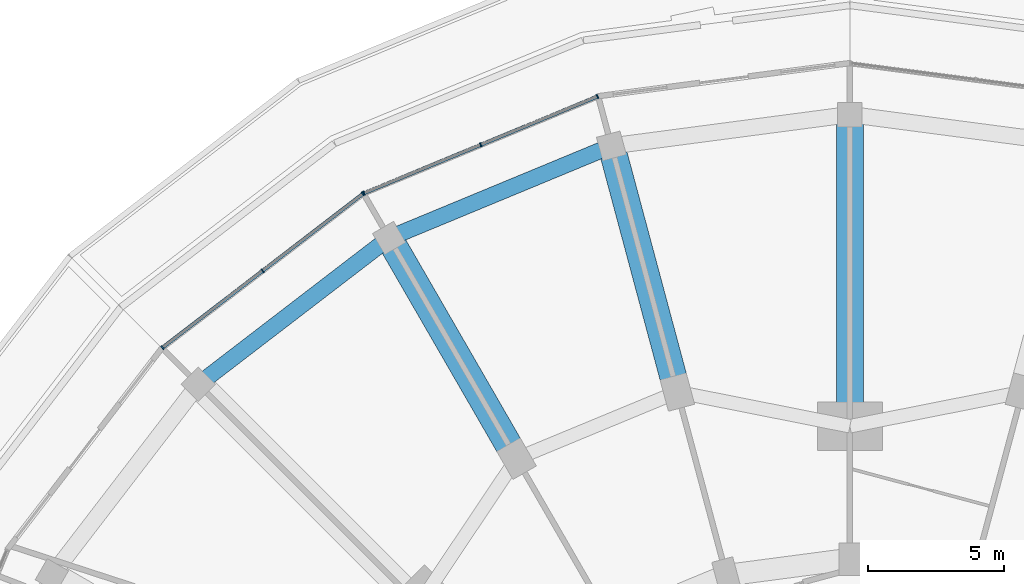
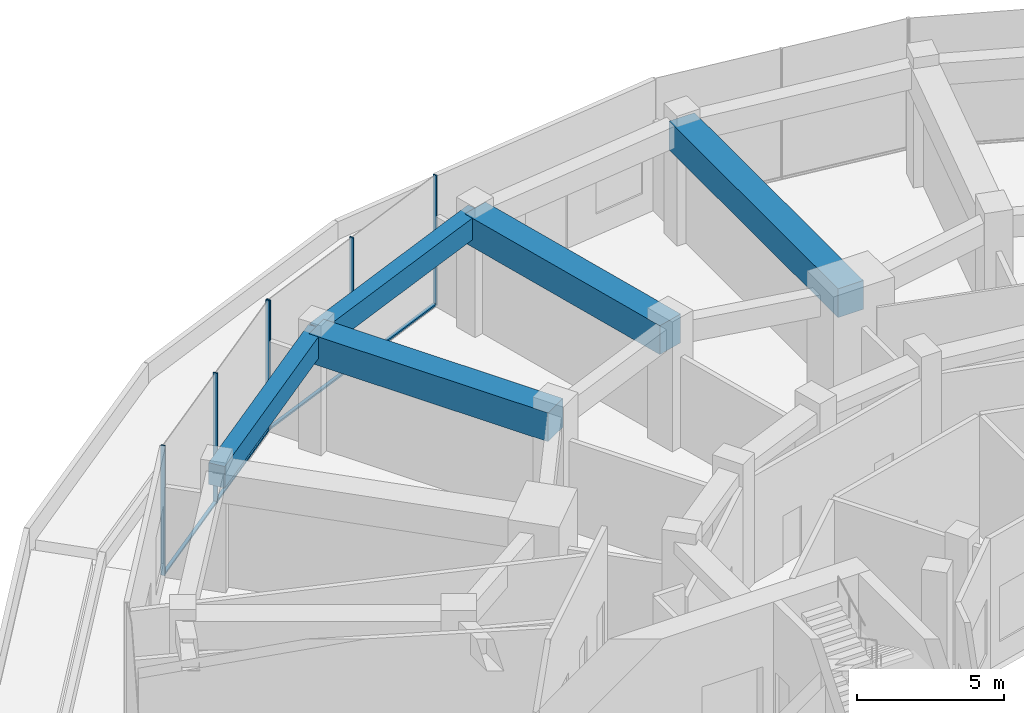
# One storey, part 12 of 26: 10 members, 5 beams, 2 elements without a shape of their own.
"""IFC4 building model written with IfcOpenShell, lengths in metres."""

import ifcopenshell
import ifcopenshell.guid

model = None  # the IFC model being written
_history = None  # IfcOwnerHistory: only IFC2X3 demands one
_inside = {}  # id of a spatial element -> (the spatial element, [elements in it])
_under = {}  # id of a project, library or spatial element -> (it, [spatial elements below it])
_declared = {}  # id of a project -> (the project, [libraries it declares])
_typed = {}  # id of a type object -> (the type object, [elements of that type])
_made_of = {}  # id of a material, layer set ... -> (it, [elements and type objects made of it])


def new_model(schema):
    """Start an empty IFC model of exactly this schema.

    Asked for "IFC4X3", IfcOpenShell would pick the latest addendum, in which some entities
    have other attributes; the version numbers below select the first issue.
    IFC2X3 requires an IfcOwnerHistory on every rooted entity: one is made here for all.
    """
    global model, _history
    if schema == "IFC4X3":
        model = ifcopenshell.file(schema_version=(4, 3, 0, 0))
    else:
        model = ifcopenshell.file(schema=schema)
    _inside.clear()
    _under.clear()
    _declared.clear()
    _typed.clear()
    _made_of.clear()
    _history = None
    if model.schema == "IFC2X3":
        org = make("IfcOrganization", Name="unknown")
        user = make(
            "IfcPersonAndOrganization",
            ThePerson=make("IfcPerson", FamilyName="unknown"),
            TheOrganization=org,
        )
        app = make(
            "IfcApplication",
            ApplicationDeveloper=org,
            Version="unknown",
            ApplicationFullName="unknown",
            ApplicationIdentifier="unknown",
        )
        _history = make(
            "IfcOwnerHistory",
            OwningUser=user,
            OwningApplication=app,
            ChangeAction="ADDED",
            CreationDate=0,
        )
    return model


def make(cls, **values):
    """One entity of the class cls with the attributes given. An attribute that is None is left unset."""
    return model.create_entity(
        cls, **{name: value for name, value in values.items() if value is not None}
    )


def rooted(cls, **values):
    """An entity with a GlobalId (a new one), such as an element, a storey or a relation."""
    return make(cls, GlobalId=ifcopenshell.guid.new(), OwnerHistory=_history, **values)


def si_unit(unit_type, name, prefix=None):
    """IfcSIUnit, for example si_unit("LENGTHUNIT", "METRE", prefix="MILLI")."""
    return make("IfcSIUnit", UnitType=unit_type, Prefix=prefix, Name=name)


def assignment(units):
    """IfcUnitAssignment: the units of a project."""
    return None if units is None else make("IfcUnitAssignment", Units=units)


def point(xyz):
    """IfcCartesianPoint."""
    return None if xyz is None else make("IfcCartesianPoint", Coordinates=xyz)


def direction(xyz):
    """IfcDirection."""
    return None if xyz is None else make("IfcDirection", DirectionRatios=xyz)


def frame(location, z_axis=None, x_axis=None):
    """IfcAxis2Placement3D, a coordinate frame: its origin and axes. An axis left out is left unset."""
    return make(
        "IfcAxis2Placement3D",
        Location=point(location),
        Axis=direction(z_axis),
        RefDirection=direction(x_axis),
    )


def frame_2d(location, x_axis=None):
    """IfcAxis2Placement2D, a coordinate frame in the plane: its origin and x axis."""
    return make(
        "IfcAxis2Placement2D", Location=point(location), RefDirection=direction(x_axis)
    )


def origin():
    """The frame at (0, 0, 0) with its axes left unset."""
    return frame((0.0, 0.0, 0.0))


def origin_2d():
    """The frame at (0, 0) in the plane with its x axis left unset."""
    return frame_2d((0.0, 0.0))


def place(relative_to, where):
    """IfcLocalPlacement: puts the frame where relative to a parent placement (None: the world)."""
    return make(
        "IfcLocalPlacement", PlacementRelTo=relative_to, RelativePlacement=where
    )


def context(
    kind, dimensions, precision=None, world=None, true_north=None, identifier=None
):
    """IfcGeometricRepresentationContext, for example the 3D "Model" context."""
    return make(
        "IfcGeometricRepresentationContext",
        ContextIdentifier=identifier,
        ContextType=kind,
        CoordinateSpaceDimension=dimensions,
        Precision=precision,
        WorldCoordinateSystem=world,
        TrueNorth=true_north,
    )


def subcontext(parent, identifier, kind, view, scale=None):
    """IfcGeometricRepresentationSubContext, for example "Body" below "Model"."""
    return make(
        "IfcGeometricRepresentationSubContext",
        ContextIdentifier=identifier,
        ContextType=kind,
        ParentContext=parent,
        TargetScale=scale,
        TargetView=view,
    )


def project(units=None, contexts=None):
    """IfcProject with its units and contexts."""
    return rooted(
        "IfcProject",
        Name="project",
        RepresentationContexts=contexts,
        UnitsInContext=assignment(units),
    )


def spatial(cls, under=None, at=None, **own):
    """A site, building, storey or space (cls), placed at a placement, below another one or the project."""
    s = rooted(cls, ObjectPlacement=at, **own)
    if under is not None:
        _under.setdefault(under.id(), (under, []))[1].append(s)
    return s


def profile(cls, at=None, kind="AREA", **sizes):
    """A parametric profile (cls). Its sizes go by their IFC names, for example OverallWidth=200.0."""
    return make(cls, ProfileType=kind, Position=at, **sizes)


def rectangle(**sizes):
    """IfcRectangleProfileDef."""
    return profile("IfcRectangleProfileDef", **sizes)


def extrude(swept, where, along, depth):
    """IfcExtrudedAreaSolid: the profile swept, set in the frame where, extruded along a direction by depth."""
    return make(
        "IfcExtrudedAreaSolid",
        SweptArea=swept,
        Position=where,
        ExtrudedDirection=direction(along),
        Depth=depth,
    )


def shape(context_of_items, identifier, shape_type, items):
    """IfcShapeRepresentation: the items that make up one representation, for example the "Body"."""
    return make(
        "IfcShapeRepresentation",
        ContextOfItems=context_of_items,
        RepresentationIdentifier=identifier,
        RepresentationType=shape_type,
        Items=items,
    )


def material(Name=None, Category=None):
    """IfcMaterial."""
    return make("IfcMaterial", Name=Name, Category=Category)


def layer(
    of_material, thickness, ventilated=None, Name=None, Category=None, Priority=None
):
    """IfcMaterialLayer: one layer of a wall or slab, of a material (None: an air gap)."""
    return make(
        "IfcMaterialLayer",
        Material=of_material,
        LayerThickness=thickness,
        IsVentilated=ventilated,
        Name=Name,
        Category=Category,
        Priority=Priority,
    )


def layer_set(layers, Name=None):
    """IfcMaterialLayerSet."""
    return make("IfcMaterialLayerSet", MaterialLayers=layers, LayerSetName=Name)


def material_profile(
    of_material, cross_section, Name=None, Category=None, Priority=None
):
    """IfcMaterialProfile: a cross section and its material."""
    return make(
        "IfcMaterialProfile",
        Name=Name,
        Material=of_material,
        Profile=cross_section,
        Priority=Priority,
        Category=Category,
    )


def profile_set(profiles, Name=None, composite=None):
    """IfcMaterialProfileSet."""
    return make(
        "IfcMaterialProfileSet",
        Name=Name,
        MaterialProfiles=profiles,
        CompositeProfile=composite,
    )


def made_of(thing, what):
    """Note that an element or type object is made of a material, layer set ...; save() writes the relation."""
    if what is not None:
        _made_of.setdefault(what.id(), (what, []))[1].append(thing)
    return thing


def type_object(cls, material=None, **own):
    """A type object (cls), such as IfcWallType, which elements share."""
    return made_of(rooted(cls, **own), material)


def element(
    cls,
    number,
    at=None,
    inside=None,
    cuts=None,
    type_object=None,
    material=None,
    context=None,
    identifier="Body",
    shape_type=None,
    held_by="IfcProductDefinitionShape",
    body=None,
    shapes=None,
    **own,
):
    """One element of the class cls, such as IfcWall. Its Tag is "e" and its number.

    at: its placement. inside: the storey or other place that contains it. cuts: it is an
    opening in that element (IfcRelVoidsElement). A single representation is given by context,
    identifier, shape_type and body (its items); several are given by shapes. held_by: the class
    of the entity that holds the representations. save() writes the other relations.
    """
    e = rooted(cls, Tag="e%d" % number, ObjectPlacement=at, **own)
    if body is not None:
        shapes = [shape(context, identifier, shape_type, body)]
    if shapes is not None:
        e.Representation = make(held_by, Representations=shapes)
    if inside is not None:
        _inside.setdefault(inside.id(), (inside, []))[1].append(e)
    if cuts is not None:
        rooted(
            "IfcRelVoidsElement", RelatingBuildingElement=cuts, RelatedOpeningElement=e
        )
    if type_object is not None:
        _typed.setdefault(type_object.id(), (type_object, []))[1].append(e)
    return made_of(e, material)


def aggregate(whole, parts):
    """IfcRelAggregates: a whole, such as a stair, and the parts it consists of."""
    return rooted("IfcRelAggregates", RelatingObject=whole, RelatedObjects=parts)


def save(model, path):
    """Write the relations noted so far, then the file.

    IfcRelAggregates (storeys below a building ...), IfcRelContainedInSpatialStructure (elements
    in a storey), IfcRelDefinesByType, IfcRelAssociatesMaterial and IfcRelDeclares: one each for
    every whole, place, type object, material and project.
    """
    for whole, parts in _under.values():
        aggregate(whole, parts)
    for where, things in _inside.values():
        rooted(
            "IfcRelContainedInSpatialStructure",
            RelatedElements=things,
            RelatingStructure=where,
        )
    for kind, things in _typed.values():
        rooted("IfcRelDefinesByType", RelatedObjects=things, RelatingType=kind)
    for what, things in _made_of.values():
        rooted("IfcRelAssociatesMaterial", RelatedObjects=things, RelatingMaterial=what)
    for by, libraries in _declared.values():
        rooted("IfcRelDeclares", RelatingContext=by, RelatedDefinitions=libraries)
    model.write(path)


model = new_model("IFC4")

# Units and contexts
model_context = context("Model", 3, precision=1e-05, world=origin(), true_north=direction((0.0, 1.0)))
body_context = subcontext(model_context, "Body", "Model", "MODEL_VIEW")
ifc_project = project(units=[si_unit("LENGTHUNIT", "METRE"), si_unit("AREAUNIT", "SQUARE_METRE"), si_unit("VOLUMEUNIT", "CUBIC_METRE"), si_unit("PLANEANGLEUNIT", "RADIAN"), si_unit("MASSUNIT", "GRAM", prefix="KILO")], contexts=[model_context])

# Site, building, storey
site_placement = place(None, origin())
site = spatial("IfcSite", under=ifc_project, at=site_placement, CompositionType="ELEMENT")
building_placement = place(site_placement, origin())
building = spatial("IfcBuilding", under=site, at=building_placement, Name="Torre Brocal", CompositionType="ELEMENT")
storey_placement = place(building_placement, frame((0.0, 0.0, 12.39990234375)))
storey = spatial("IfcBuildingStorey", under=building, at=storey_placement, Name="L02", CompositionType="ELEMENT", Elevation=12.39990234375)

# Curtain wall, members
ifc_material_1 = material(Name="Aluminium and glass", Category="aluminium")
ifc_layer = layer(ifc_material_1, 0.199951171875)
ifc_layer_set = layer_set([ifc_layer], Name="Aluminium and glass")
curtain_wall_type = type_object("IfcCurtainWallType", Name="CW-6 CURTAIN WALL 5400 HIGH", PredefinedType="NOTDEFINED", material=ifc_layer_set)
curtain_wall_1_placement = place(storey_placement, origin())
curtain_wall_1 = element("IfcCurtainWall", 1, at=curtain_wall_1_placement, inside=storey, type_object=curtain_wall_type, Name="CW-6 RUN 8", PredefinedType="NOTDEFINED")
ifc_material_2 = material(Name="Aluminium, dark anodised", Category="aluminium")
ifc_material_profile_1 = material_profile(ifc_material_2, rectangle(XDim=0.159912109375, YDim=0.050048828125, at=origin_2d()), Name="CW-6 MULLION 50X160")
ifc_profile_set_1 = profile_set([ifc_material_profile_1], Name="Aluminium, dark anodised")
member_type_1 = type_object("IfcMemberType", Name="CW-6 MULLION 50X160", PredefinedType="MULLION", material=ifc_profile_set_1)
member_1_placement = place(storey_placement, frame((70.685546875, 109.666259765625, 0.0), z_axis=(0.0, 0.0, 1.0), x_axis=(0.382683432333, -0.923879532525, 0.0)))
member_1 = element("IfcMember", 2, at=member_1_placement, type_object=member_type_1, Name="CW6-1 mullion 1", PredefinedType="MULLION", context=body_context, shape_type="SweptSolid", body=[
    extrude(rectangle(XDim=0.159912109375, YDim=0.050048828125, at=origin_2d()), origin(), (0.0, 0.0, 1.0), 5.400146484375),
])
member_2_placement = place(storey_placement, frame((66.379638671875, 107.8828125, 0.0), z_axis=(0.0, 0.0, 1.0), x_axis=(0.382683432333, -0.923879532525, 0.0)))
member_2 = element("IfcMember", 3, at=member_2_placement, type_object=member_type_1, Name="CW6-1 mullion 2", PredefinedType="MULLION", context=body_context, shape_type="SweptSolid", body=[
    extrude(rectangle(XDim=0.159912109375, YDim=0.050048828125, at=origin_2d()), origin(), (0.0, 0.0, 1.0), 5.400146484375),
])
member_3_placement = place(storey_placement, frame((62.073486328125, 106.09912109375, 0.0), z_axis=(0.0, 0.0, 1.0), x_axis=(0.382683432333, -0.923879532525, 0.0)))
member_3 = element("IfcMember", 4, at=member_3_placement, type_object=member_type_1, Name="CW6-1 mullion 3", PredefinedType="MULLION", context=body_context, shape_type="SweptSolid", body=[
    extrude(rectangle(XDim=0.159912109375, YDim=0.050048828125, at=origin_2d()), origin(), (0.0, 0.0, 1.0), 5.400146484375),
])

curtain_wall_2_placement = place(storey_placement, origin())
curtain_wall_2 = element("IfcCurtainWall", 5, at=curtain_wall_2_placement, inside=storey, type_object=curtain_wall_type, Name="CW-6 RUN 9", PredefinedType="NOTDEFINED")
member_4_placement = place(storey_placement, frame((62.030517578125, 106.074462890625, 0.0), z_axis=(0.0, 0.0, 1.0), x_axis=(0.608761429009, -0.793353340291, 0.0)))
member_4 = element("IfcMember", 6, at=member_4_placement, type_object=member_type_1, Name="CW6-1 mullion 1", PredefinedType="MULLION", context=body_context, shape_type="SweptSolid", body=[
    extrude(rectangle(XDim=0.159912109375, YDim=0.050048828125, at=origin_2d()), origin(), (0.0, 0.0, 1.0), 5.400146484375),
])
member_5_placement = place(storey_placement, frame((58.3330078125, 103.237060546875, 0.0), z_axis=(0.0, 0.0, 1.0), x_axis=(0.608761429009, -0.793353340291, 0.0)))
member_5 = element("IfcMember", 7, at=member_5_placement, type_object=member_type_1, Name="CW6-1 mullion 2", PredefinedType="MULLION", context=body_context, shape_type="SweptSolid", body=[
    extrude(rectangle(XDim=0.159912109375, YDim=0.050048828125, at=origin_2d()), origin(), (0.0, 0.0, 1.0), 5.400146484375),
])
member_6_placement = place(storey_placement, frame((54.63525390625, 100.399658203125, 0.0), z_axis=(0.0, 0.0, 1.0), x_axis=(0.608761429009, -0.793353340291, 0.0)))
member_6 = element("IfcMember", 8, at=member_6_placement, type_object=member_type_1, Name="CW6-1 mullion 3", PredefinedType="MULLION", context=body_context, shape_type="SweptSolid", body=[
    extrude(rectangle(XDim=0.159912109375, YDim=0.050048828125, at=origin_2d()), origin(), (0.0, 0.0, 1.0), 5.400146484375),
])

# Member
ifc_material_3 = material(Name="Aluminium, dark anodised", Category="aluminium")
ifc_material_profile_2 = material_profile(ifc_material_3, rectangle(XDim=0.1298828125, YDim=0.070068359375, at=origin_2d()), Name="CW-6 TRANSOM 130X70")
ifc_profile_set_2 = profile_set([ifc_material_profile_2], Name="Aluminium, dark anodised")
member_type_2 = type_object("IfcMemberType", Name="CW-6 TRANSOM 130X70", PredefinedType="USERDEFINED", material=ifc_profile_set_2)
member_7_placement = place(storey_placement, frame((70.662353515625, 109.65673828125, 0.03515625), z_axis=(-0.923883243627, -0.382674472816, 0.0), x_axis=(0.382674472816, -0.923883243627, 0.0)))
member_7 = element("IfcMember", 9, at=member_7_placement, type_object=member_type_2, Name="CW6-1 transom 1.1", ObjectType="TRANSOM", PredefinedType="USERDEFINED", context=body_context, shape_type="SweptSolid", body=[
    extrude(rectangle(XDim=0.1298828125, YDim=0.070068359375, at=origin_2d()), origin(), (0.0, 0.0, 1.0), 4.61083984375),
])

member_8_placement = place(storey_placement, frame((66.3564453125, 107.873046875, 0.03515625), z_axis=(-0.923883243627, -0.382674472816, 0.0), x_axis=(0.382674472816, -0.923883243627, 0.0)))
member_8 = element("IfcMember", 10, at=member_8_placement, type_object=member_type_2, Name="CW6-1 transom 2.1", ObjectType="TRANSOM", PredefinedType="USERDEFINED", context=body_context, shape_type="SweptSolid", body=[
    extrude(rectangle(XDim=0.1298828125, YDim=0.070068359375, at=origin_2d()), origin(), (0.0, 0.0, 1.0), 4.61083984375),
])

aggregate(curtain_wall_1, [member_1, member_2, member_3, member_7, member_8])

member_9_placement = place(storey_placement, frame((62.0107421875, 106.05908203125, 0.03515625), z_axis=(-0.793349766746, -0.608766086116, 0.0), x_axis=(0.608766086116, -0.793349766746, 0.0)))
member_9 = element("IfcMember", 11, at=member_9_placement, type_object=member_type_2, Name="CW6-1 transom 1.1", ObjectType="TRANSOM", PredefinedType="USERDEFINED", context=body_context, shape_type="SweptSolid", body=[
    extrude(rectangle(XDim=0.1298828125, YDim=0.070068359375, at=origin_2d()), origin(), (0.0, 0.0, 1.0), 4.61083984375),
])

member_10_placement = place(storey_placement, frame((58.313232421875, 103.221923828125, 0.03515625), z_axis=(-0.793369388573, -0.60874051391, 0.0), x_axis=(0.60874051391, -0.793369388573, 0.0)))
member_10 = element("IfcMember", 12, at=member_10_placement, type_object=member_type_2, Name="CW6-1 transom 2.1", ObjectType="TRANSOM", PredefinedType="USERDEFINED", context=body_context, shape_type="SweptSolid", body=[
    extrude(rectangle(XDim=0.1298828125, YDim=0.070068359375, at=origin_2d()), origin(), (0.0, 0.0, 1.0), 4.611083984375),
])

aggregate(curtain_wall_2, [member_4, member_5, member_6, member_9, member_10])

# Beams
ifc_material_4 = material(Name="Concrete C50", Category="concrete")
ifc_material_profile_3 = material_profile(ifc_material_4, rectangle(XDim=0.60009765625, YDim=0.89990234375, at=origin_2d()), Name="RC 600X900")
ifc_profile_set_3 = profile_set([ifc_material_profile_3], Name="Concrete C50")
beam_type_1 = type_object("IfcBeamType", Name="RC BEAM 600X900 C50 TOP 4950", PredefinedType="BEAM", material=ifc_profile_set_3)
beam_1_placement = place(storey_placement, frame((71.2001953125, 107.841552734375, 4.5), z_axis=(-0.923875692429, -0.382692703012, 0.0), x_axis=(0.382692703012, -0.923875692429, 0.0)))
element("IfcBeam", 13, at=beam_1_placement, inside=storey, type_object=beam_type_1, Name="Beam BT-10", PredefinedType="BEAM", context=body_context, shape_type="SweptSolid", body=[
    extrude(rectangle(XDim=0.60009765625, YDim=0.89990234375, at=origin_2d()), origin(), (0.0, 0.0, 1.0), 8.8759765625),
])
beam_2_placement = place(storey_placement, frame((63.0, 104.44482421875, 4.5), z_axis=(-0.793366788253, -0.608743902882, 0.0), x_axis=(0.608743902882, -0.793366788253, 0.0)))
element("IfcBeam", 14, at=beam_2_placement, inside=storey, type_object=beam_type_1, Name="Beam BT-10", PredefinedType="BEAM", context=body_context, shape_type="SweptSolid", body=[
    extrude(rectangle(XDim=0.60009765625, YDim=0.89990234375, at=origin_2d()), origin(), (0.0, 0.0, 1.0), 8.875732421875),
])
ifc_material_5 = material(Name="Concrete C60", Category="concrete")
ifc_material_profile_4 = material_profile(ifc_material_5, rectangle(XDim=1.0, YDim=1.199951171875, at=origin_2d()), Name="RC 1000X1200")
ifc_profile_set_4 = profile_set([ifc_material_profile_4], Name="Concrete C60")
beam_type_2 = type_object("IfcBeamType", Name="RC TRANSFER GIRDER 1000X1200 C60 TOP 4950", PredefinedType="BEAM", material=ifc_profile_set_4)
beam_3_placement = place(storey_placement, frame((67.699951171875, 96.30419921875, 4.35009765625), z_axis=(-0.499996739618, 0.866027286158, 0.0), x_axis=(-0.866027286158, -0.499996739618, 0.0)))
element("IfcBeam", 15, at=beam_3_placement, inside=storey, type_object=beam_type_2, Name="Beam TG-03", PredefinedType="BEAM", context=body_context, shape_type="SweptSolid", body=[
    extrude(rectangle(XDim=1.0, YDim=1.199951171875, at=origin_2d()), origin(), (0.0, 0.0, 1.0), 9.39990234375),
])
beam_4_placement = place(storey_placement, frame((73.633056640625, 98.76171875, 4.35009765625), z_axis=(-0.258811813801, 0.965927763881, 0.0), x_axis=(-0.965927763881, -0.258811813801, 0.0)))
element("IfcBeam", 16, at=beam_4_placement, inside=storey, type_object=beam_type_2, Name="Beam TG-03", PredefinedType="BEAM", context=body_context, shape_type="SweptSolid", body=[
    extrude(rectangle(XDim=1.0, YDim=1.199951171875, at=origin_2d()), origin(), (0.0, 0.0, 1.0), 9.400146484375),
])
beam_5_placement = place(storey_placement, frame((80.0, 97.5, 4.35009765625), z_axis=(0.0, 1.0, 0.0), x_axis=(-1.0, 0.0, 0.0)))
element("IfcBeam", 17, at=beam_5_placement, inside=storey, type_object=beam_type_2, Name="Beam TG-03", PredefinedType="BEAM", context=body_context, shape_type="SweptSolid", body=[
    extrude(rectangle(XDim=1.0, YDim=1.199951171875, at=origin_2d()), origin(), (0.0, 0.0, 1.0), 11.5),
])

save(model, "model.ifc")
